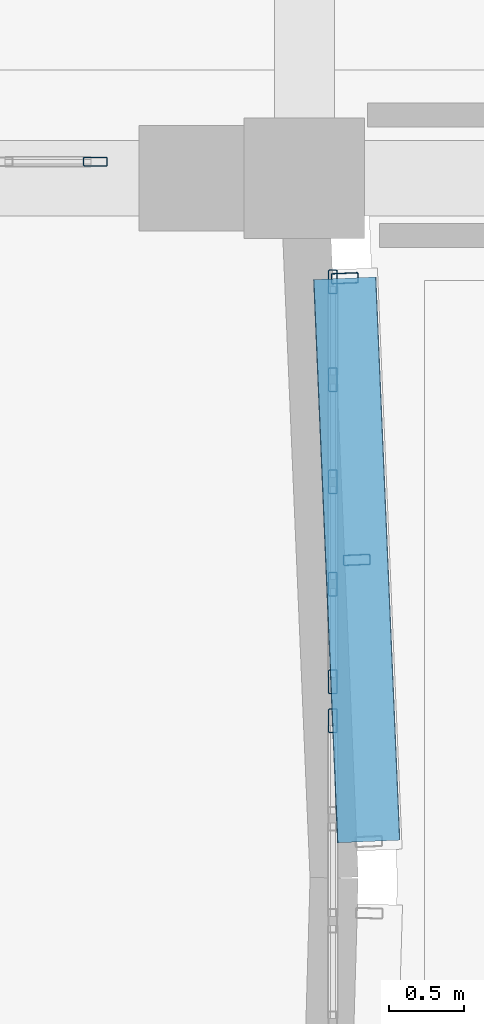
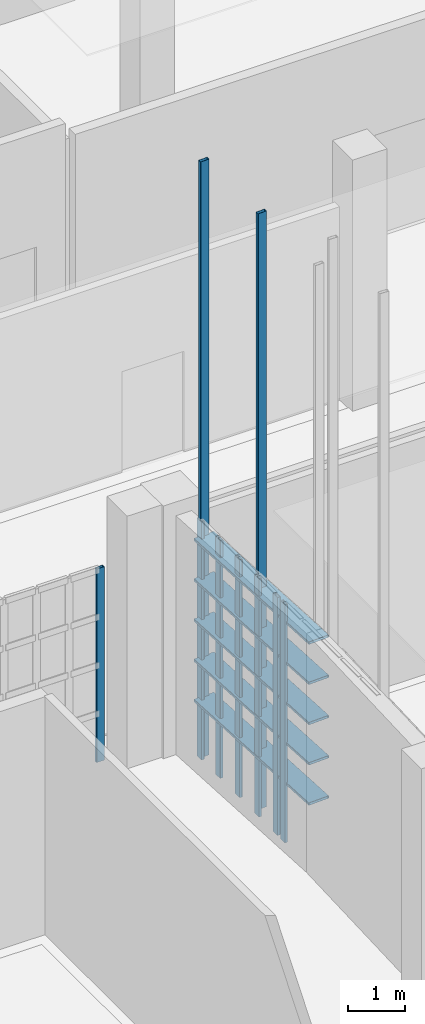
# One storey, part 284 of 372: 14 members, 3 elements without a shape of their own.
"""IFC4 building model written with IfcOpenShell, lengths in metres."""

from ifc_helpers import new_model, si_unit, direction, frame, origin, origin_2d, place, context, subcontext, project, spatial, hollow_rectangle, extrude, material, material_profile, profile_set, type_object, element, aggregate, save


model = new_model("IFC4")

# Units and contexts
model_context = context("Model", 3, precision=1e-05, world=origin(), true_north=direction((0.0, 1.0)))
body_context = subcontext(model_context, "Body", "Model", "MODEL_VIEW")
ifc_project = project(units=[si_unit("LENGTHUNIT", "METRE"), si_unit("AREAUNIT", "SQUARE_METRE"), si_unit("VOLUMEUNIT", "CUBIC_METRE"), si_unit("PLANEANGLEUNIT", "RADIAN"), si_unit("MASSUNIT", "GRAM", prefix="KILO")], contexts=[model_context])

# Site, building, storey
site_placement = place(None, origin())
site = spatial("IfcSite", under=ifc_project, at=site_placement, CompositionType="ELEMENT")
building_placement = place(site_placement, origin())
building = spatial("IfcBuilding", under=site, at=building_placement, Name="Kaelora Sail Theatre", CompositionType="ELEMENT")
storey_placement = place(building_placement, origin())
storey = spatial("IfcBuildingStorey", under=building, at=storey_placement, Name="L00", CompositionType="ELEMENT", Elevation=0.0)

# Members
ifc_material_1 = material(Name="Anodised aluminium 6063-T6", Category="aluminium")
ifc_material_profile_1 = material_profile(ifc_material_1, hollow_rectangle(XDim=0.419921875, YDim=0.054931640625, WallThickness=0.00390625, InnerFilletRadius=0.00390625, OuterFilletRadius=0.008056640625, at=origin_2d()), Name="LOUVRE 420x55x4")
ifc_profile_set_1 = profile_set([ifc_material_profile_1], Name="Anodised aluminium 6063-T6")
member_type_1 = type_object("IfcMemberType", Name="ARC-MEM-LVR-420", PredefinedType="USERDEFINED", material=ifc_profile_set_1)
for number, where, z_axis, x_axis, name in (
    (1, (147.568603515625, 52.914306640625, 1.25), (0.04251056879, -0.999096017178, 0.0), (0.999096017178, 0.04251056879, 0.0), "Black-Box and Experimental Sail Wing horizontal solar louvre C1-01"),
    (2, (147.568603515625, 52.914306640625, 2.110107421875), (0.04251056879, -0.999096017178, 0.0), (0.999096017178, 0.04251056879, 0.0), "Black-Box and Experimental Sail Wing horizontal solar louvre C1-02"),
    (3, (147.568603515625, 52.914306640625, 2.969970703125), (0.04251056879, -0.999096017178, 0.0), (0.999096017178, 0.04251056879, 0.0), "Black-Box and Experimental Sail Wing horizontal solar louvre C1-03"),
    (4, (147.568603515625, 52.914306640625, 3.830078125), (0.04251056879, -0.999096017178, 0.0), (0.999096017178, 0.04251056879, 0.0), "Black-Box and Experimental Sail Wing horizontal solar louvre C1-04"),
    (5, (147.568603515625, 52.914306640625, 4.68994140625), (0.04251056879, -0.999096017178, 0.0), (0.999096017178, 0.04251056879, 0.0), "Black-Box and Experimental Sail Wing horizontal solar louvre C1-05"),
):
    element("IfcMember", number, at=place(storey_placement, frame(where, z_axis=z_axis, x_axis=x_axis)), inside=storey, type_object=member_type_1, Name=name, ObjectType="LOUVRE", PredefinedType="USERDEFINED", context=body_context, shape_type="SweptSolid", body=[
        extrude(hollow_rectangle(XDim=0.419921875, YDim=0.054931640625, WallThickness=0.00390625, InnerFilletRadius=0.00390625, OuterFilletRadius=0.008056640625, at=origin_2d()), origin(), (0.0, 0.0, 1.0), 3.750244140625),
    ])

# Curtain wall, member
ifc_material_2 = material(Name="Anodised aluminium and solar-control low-E IGU", Category="aluminium")
curtain_wall_type = type_object("IfcCurtainWallType", Name="ARC-CW-CW-FOY2", PredefinedType="NOTDEFINED", material=ifc_material_2)
curtain_wall_1_placement = place(storey_placement, origin())
curtain_wall_1 = element("IfcCurtainWall", 6, at=curtain_wall_1_placement, inside=storey, type_object=curtain_wall_type, Name="Glazed Foyer/Conservatory Curtain Wall FE1-S-L00-01", PredefinedType="NOTDEFINED")
ifc_material_3 = material(Name="Anodised aluminium 6063-T6", Category="aluminium")
ifc_material_profile_2 = material_profile(ifc_material_3, hollow_rectangle(XDim=0.06005859375, YDim=0.159912109375, WallThickness=0.00390625, InnerFilletRadius=0.00390625, OuterFilletRadius=0.008056640625, at=origin_2d()), Name="ALU-MULL 60x160x4")
ifc_profile_set_2 = profile_set([ifc_material_profile_2], Name="Anodised aluminium 6063-T6")
member_type_2 = type_object("IfcMemberType", Name="ARC-MEM-ML-160", PredefinedType="MULLION", material=ifc_profile_set_2)
member_1_placement = place(storey_placement, frame((145.909912109375, 53.68994140625, 0.0), z_axis=(0.0, 0.0, 1.0), x_axis=(0.0, 1.0, 0.0)))
member_1 = element("IfcMember", 7, at=member_1_placement, type_object=member_type_2, Name="CW-FOY2 mullion 5", PredefinedType="MULLION", context=body_context, shape_type="SweptSolid", body=[
    extrude(hollow_rectangle(XDim=0.06005859375, YDim=0.159912109375, WallThickness=0.00390625, InnerFilletRadius=0.00390625, OuterFilletRadius=0.008056640625, at=origin_2d()), origin(), (0.0, 0.0, 1.0), 4.136962890625),
])
aggregate(curtain_wall_1, [member_1])

curtain_wall_2_placement = place(storey_placement, origin())
curtain_wall_2 = element("IfcCurtainWall", 8, at=curtain_wall_2_placement, inside=storey, type_object=curtain_wall_type, Name="Glazed Colonnade/Courtyard Curtain Wall COLE-W-L00-05", PredefinedType="NOTDEFINED")
member_2_placement = place(storey_placement, frame((147.489990234375, 49.969970703125, 0.0), z_axis=(0.0, 0.0, 1.0), x_axis=(-1.0, 0.0, 0.0)))
member_2 = element("IfcMember", 9, at=member_2_placement, type_object=member_type_2, Name="CW-FOY2 mullion 6", PredefinedType="MULLION", context=body_context, shape_type="SweptSolid", body=[
    extrude(hollow_rectangle(XDim=0.06005859375, YDim=0.159912109375, WallThickness=0.00390625, InnerFilletRadius=0.00390625, OuterFilletRadius=0.008056640625, at=origin_2d()), origin(), (0.0, 0.0, 1.0), 5.0849609375),
])
aggregate(curtain_wall_2, [member_2])

# Curtain wall, members
curtain_wall_3_placement = place(storey_placement, origin())
curtain_wall_3 = element("IfcCurtainWall", 10, at=curtain_wall_3_placement, inside=storey, type_object=curtain_wall_type, Name="Glazed Colonnade/Courtyard Curtain Wall COLE-W-L00-06", PredefinedType="NOTDEFINED")
member_3_placement = place(storey_placement, frame((147.489990234375, 50.22998046875, 0.0), z_axis=(0.0, 0.0, 1.0), x_axis=(-1.0, 0.0, 0.0)))
member_3 = element("IfcMember", 11, at=member_3_placement, type_object=member_type_2, Name="CW-FOY2 mullion 1", PredefinedType="MULLION", context=body_context, shape_type="SweptSolid", body=[
    extrude(hollow_rectangle(XDim=0.06005859375, YDim=0.159912109375, WallThickness=0.00390625, InnerFilletRadius=0.00390625, OuterFilletRadius=0.008056640625, at=origin_2d()), origin(), (0.0, 0.0, 1.0), 5.0849609375),
])
member_4_placement = place(storey_placement, frame((147.489990234375, 50.8798828125, 0.0), z_axis=(0.0, 0.0, 1.0), x_axis=(-1.0, 0.0, 0.0)))
member_4 = element("IfcMember", 12, at=member_4_placement, type_object=member_type_2, Name="CW-FOY2 mullion 2", PredefinedType="MULLION", context=body_context, shape_type="SweptSolid", body=[
    extrude(hollow_rectangle(XDim=0.06005859375, YDim=0.159912109375, WallThickness=0.00390625, InnerFilletRadius=0.00390625, OuterFilletRadius=0.008056640625, at=origin_2d()), origin(), (0.0, 0.0, 1.0), 5.0849609375),
])
member_5_placement = place(storey_placement, frame((147.489990234375, 51.56005859375, 0.0), z_axis=(0.0, 0.0, 1.0), x_axis=(-1.0, 0.0, 0.0)))
member_5 = element("IfcMember", 13, at=member_5_placement, type_object=member_type_2, Name="CW-FOY2 mullion 3", PredefinedType="MULLION", context=body_context, shape_type="SweptSolid", body=[
    extrude(hollow_rectangle(XDim=0.06005859375, YDim=0.159912109375, WallThickness=0.00390625, InnerFilletRadius=0.00390625, OuterFilletRadius=0.008056640625, at=origin_2d()), origin(), (0.0, 0.0, 1.0), 5.0849609375),
])
member_6_placement = place(storey_placement, frame((147.489990234375, 52.239990234375, 0.0), z_axis=(0.0, 0.0, 1.0), x_axis=(-1.0, 0.0, 0.0)))
member_6 = element("IfcMember", 14, at=member_6_placement, type_object=member_type_2, Name="CW-FOY2 mullion 4", PredefinedType="MULLION", context=body_context, shape_type="SweptSolid", body=[
    extrude(hollow_rectangle(XDim=0.06005859375, YDim=0.159912109375, WallThickness=0.00390625, InnerFilletRadius=0.00390625, OuterFilletRadius=0.008056640625, at=origin_2d()), origin(), (0.0, 0.0, 1.0), 5.0849609375),
])
member_7_placement = place(storey_placement, frame((147.489990234375, 52.889892578125, 0.0), z_axis=(0.0, 0.0, 1.0), x_axis=(-1.0, 0.0, 0.0)))
member_7 = element("IfcMember", 15, at=member_7_placement, type_object=member_type_2, Name="CW-FOY2 mullion 5", PredefinedType="MULLION", context=body_context, shape_type="SweptSolid", body=[
    extrude(hollow_rectangle(XDim=0.06005859375, YDim=0.159912109375, WallThickness=0.00390625, InnerFilletRadius=0.00390625, OuterFilletRadius=0.008056640625, at=origin_2d()), origin(), (0.0, 0.0, 1.0), 5.0849609375),
])
aggregate(curtain_wall_3, [member_3, member_4, member_5, member_6, member_7])

# Members
ifc_material_4 = material(Name="Anodised aluminium 6063-T6", Category="aluminium")
ifc_material_profile_3 = material_profile(ifc_material_4, hollow_rectangle(XDim=0.070068359375, YDim=0.179931640625, WallThickness=0.00390625, InnerFilletRadius=0.00390625, OuterFilletRadius=0.008056640625, at=origin_2d()), Name="ALU-MULL 70x180x4")
ifc_profile_set_3 = profile_set([ifc_material_profile_3], Name="Anodised aluminium 6063-T6")
member_type_3 = type_object("IfcMemberType", Name="ARC-MEM-PST-160", PredefinedType="POST", material=ifc_profile_set_3)
for number, where, z_axis, x_axis, name in (
    (16, (147.568603515625, 52.914306640625, 0.0), (0.0, 0.0, 1.0), (0.042573162788, -0.9990933519, 0.0), "Black-Box and Experimental Sail Wing solar louvre vertical support post C1-1"),
    (17, (147.648193359375, 51.040771484375, 0.0), (0.0, 0.0, 1.0), (0.042573162788, -0.9990933519, 0.0), "Black-Box and Experimental Sail Wing solar louvre vertical support post C1-2"),
):
    element("IfcMember", number, at=place(storey_placement, frame(where, z_axis=z_axis, x_axis=x_axis)), inside=storey, type_object=member_type_3, Name=name, PredefinedType="POST", context=body_context, shape_type="SweptSolid", body=[
        extrude(hollow_rectangle(XDim=0.070068359375, YDim=0.179931640625, WallThickness=0.00390625, InnerFilletRadius=0.00390625, OuterFilletRadius=0.008056640625, at=origin_2d()), origin(), (0.0, 0.0, 1.0), 12.737060546875),
    ])

save(model, "model.ifc")
